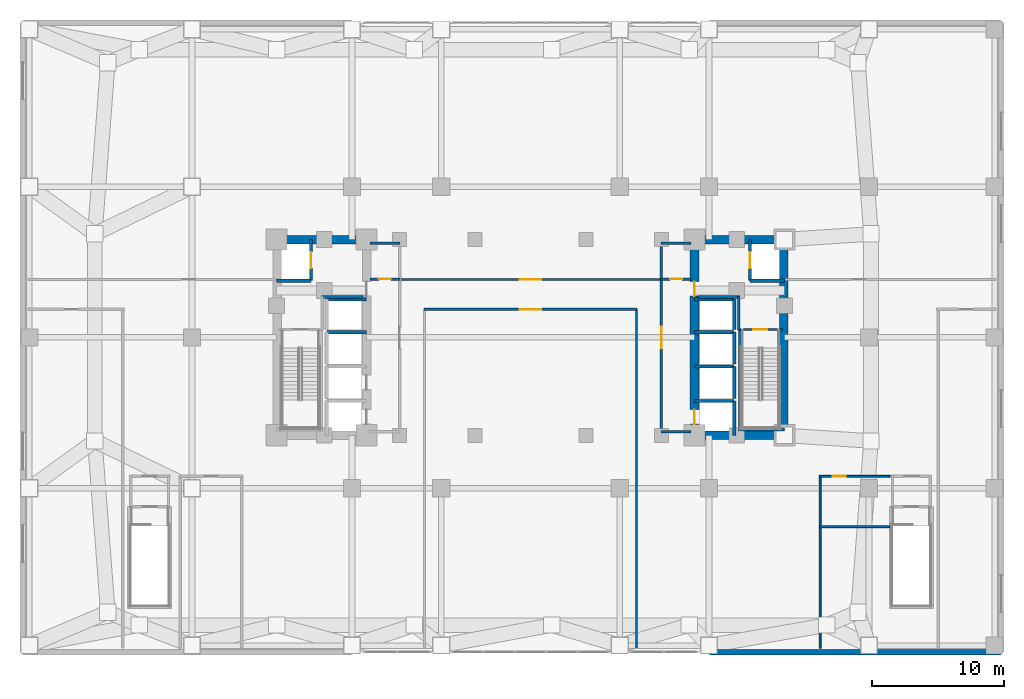
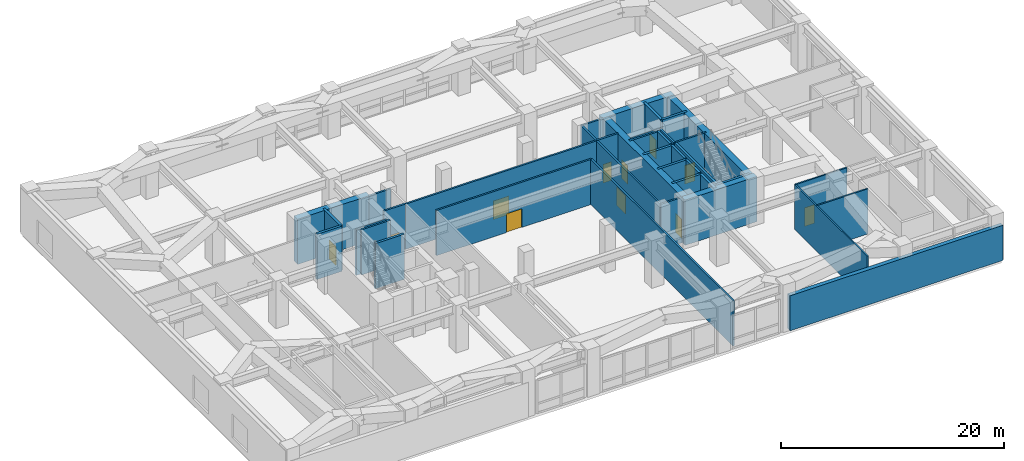
# One storey, part 16 of 20: 38 walls, 11 doors, 11 openings.
"""IFC4 building model written with IfcOpenShell, lengths in metres."""

from ifc_helpers import new_model, si_unit, direction, frame, frame_2d, origin, place, context, subcontext, project, spatial, rectangle, extrude, material, layer, layer_set, type_object, element, fill, save


model = new_model("IFC4")

# Units and contexts
model_context = context("Model", 3, precision=1e-05, world=origin(), true_north=direction((0.0, 1.0)))
body_context = subcontext(model_context, "Body", "Model", "MODEL_VIEW")
ifc_project = project(units=[si_unit("LENGTHUNIT", "METRE"), si_unit("AREAUNIT", "SQUARE_METRE"), si_unit("VOLUMEUNIT", "CUBIC_METRE"), si_unit("PLANEANGLEUNIT", "RADIAN"), si_unit("MASSUNIT", "GRAM", prefix="KILO")], contexts=[model_context])

# Site, building, storey
site_placement = place(None, origin())
site = spatial("IfcSite", under=ifc_project, at=site_placement, CompositionType="ELEMENT")
building_placement = place(site_placement, origin())
building = spatial("IfcBuilding", under=site, at=building_placement, Name="Voryun Gate Residences", CompositionType="ELEMENT")
storey_placement = place(building_placement, frame((0.0, 0.0, 20.800048828125)))
storey = spatial("IfcBuildingStorey", under=building, at=storey_placement, Name="L04", CompositionType="ELEMENT", Elevation=20.800048828125)

# Walls
ifc_material_1 = material(Name="Concrete C60/75", Category="concrete")
ifc_layer_1 = layer(ifc_material_1, 0.64990234375, Name="CW_CORE_650")
ifc_layer_set_1 = layer_set([ifc_layer_1], Name="Concrete C60/75")
wall_type_1 = type_object("IfcWallType", Name="CW_CORE_650", PredefinedType="SHEAR", material=ifc_layer_set_1)
for number, where, z_axis, x_axis, name in (
    (1, (-19.52490234375, 7.39990234375, 0.0), (0.0, 0.0, 1.0), (1.0, 0.0, 0.0), "L04 Core shear wall CW-L04-WN"),
    (2, (12.074951171875, -7.39990234375, 0.0), (0.0, 0.0, 1.0), (1.0, 0.0, 0.0), "L04 Core shear wall CW-L04-ES"),
    (3, (12.074951171875, 7.39990234375, 0.0), (0.0, 0.0, 1.0), (1.0, 0.0, 0.0), "L04 Core shear wall CW-L04-EN"),
):
    element("IfcWall", number, at=place(storey_placement, frame(where, z_axis=z_axis, x_axis=x_axis)), inside=storey, type_object=wall_type_1, Name=name, PredefinedType="SHEAR", context=body_context, shape_type="SweptSolid", body=[
        extrude(rectangle(XDim=7.449951171875, YDim=0.64990234375, at=frame_2d((3.72509765625, 0.0))), origin(), (0.0, 0.0, 1.0), 4.949951171875),
    ])

# Wall, openings, doors
wall_1_placement = place(storey_placement, frame((12.39990234375, -7.39990234375, 0.0), z_axis=(0.0, 0.0, 1.0), x_axis=(0.0, 1.0, 0.0)))
wall_1 = element("IfcWall", 4, at=wall_1_placement, inside=storey, type_object=wall_type_1, Name="L04 Core shear wall CW-L04-EW", PredefinedType="SHEAR", context=body_context, shape_type="SweptSolid", body=[
    extrude(rectangle(XDim=14.7998046875, YDim=0.64990234375, at=frame_2d((7.39990234375, 0.0))), origin(), (0.0, 0.0, 1.0), 4.949951171875),
])
opening_1_placement = place(wall_1_placement, frame((0.85009765625, 0.0, 0.0)))
opening_1 = element("IfcOpeningElement", 5, at=opening_1_placement, cuts=wall_1, Name="Opening LD2", PredefinedType="OPENING", context=body_context, shape_type="SweptSolid", body=[
    extrude(rectangle(XDim=1.10009765625, YDim=2.050048828125, at=frame_2d((0.550048828125, 1.02490234375))), frame((0.0, 0.3349609375, 0.0), z_axis=(0.0, -1.0, 0.0), x_axis=(1.0, 0.0, 0.0)), (0.0, 0.0, 1.0), 0.669921875),
])
opening_2_placement = place(wall_1_placement, frame((10.530029296875, 0.0, 0.0)))
opening_2 = element("IfcOpeningElement", 6, at=opening_2_placement, cuts=wall_1, Name="Opening D-FD60-2", PredefinedType="OPENING", context=body_context, shape_type="SweptSolid", body=[
    extrude(rectangle(XDim=1.10009765625, YDim=2.050048828125, at=frame_2d((0.550048828125, 1.02490234375))), frame((0.0, 0.3349609375, 0.0), z_axis=(0.0, -1.0, 0.0), x_axis=(1.0, 0.0, 0.0)), (0.0, 0.0, 1.0), 0.669921875),
])
ifc_material_2 = material(Name="Painted steel fire door", Category="steel")
door_type_1 = type_object("IfcDoorType", Name="DR_FD60_FFLOB_1100", OperationType="NOTDEFINED", PredefinedType="DOOR", material=ifc_material_2)
door_1_placement = place(opening_2_placement, origin())
door_1 = element("IfcDoor", 7, at=door_1_placement, inside=storey, type_object=door_type_1, Name="Door DR-L04-CLOB-E", OperationType="SINGLE_SWING_RIGHT", OverallHeight=2.050048828125, OverallWidth=1.10009765625, PredefinedType="DOOR", context=body_context, shape_type="SweptSolid", body=[
    extrude(rectangle(XDim=1.10009765625, YDim=2.050048828125, at=frame_2d((0.550048828125, 1.02490234375))), frame((0.0, 0.02490234375, 0.0), z_axis=(0.0, -1.0, 0.0), x_axis=(1.0, 0.0, 0.0)), (0.0, 0.0, 1.0), 0.050048828125),
])
fill(opening_2, door_1)
ifc_material_3 = material(Name="Anodised aluminium", Category="aluminium")
door_type_2 = type_object("IfcDoorType", Name="DR_LD_PASS_1100", OperationType="NOTDEFINED", PredefinedType="DOOR", material=ifc_material_3)
door_2_placement = place(opening_1_placement, origin())
door_2 = element("IfcDoor", 8, at=door_2_placement, inside=storey, type_object=door_type_2, Name="Lift EL-P3 sliding landing door L04", OperationType="SLIDING_TO_LEFT", OverallHeight=2.050048828125, OverallWidth=1.10009765625, PredefinedType="DOOR", context=body_context, shape_type="SweptSolid", body=[
    extrude(rectangle(XDim=1.10009765625, YDim=2.050048828125, at=frame_2d((0.550048828125, 1.02490234375))), frame((0.0, 0.02490234375, 0.0), z_axis=(0.0, -1.0, 0.0), x_axis=(1.0, 0.0, 0.0)), (0.0, 0.0, 1.0), 0.050048828125),
])
fill(opening_1, door_2)

# Walls
wall_2_placement = place(storey_placement, frame((19.14501953125, -7.39990234375, 0.0), z_axis=(0.0, 0.0, 1.0), x_axis=(0.0, 1.0, 0.0)))
element("IfcWall", 9, at=wall_2_placement, inside=storey, type_object=wall_type_1, Name="L04 Core shear wall CW-L04-EE", PredefinedType="SHEAR", context=body_context, shape_type="SweptSolid", body=[
    extrude(rectangle(XDim=14.7998046875, YDim=0.64990234375, at=frame_2d((7.39990234375, 0.0))), origin(), (0.0, 0.0, 1.0), 4.949951171875),
])
ifc_material_4 = material(Name="Gypsum acoustic fireboard")
ifc_layer_2 = layer(ifc_material_4, 0.179931640625, Name="W_CORR_RATED_180")
ifc_layer_set_2 = layer_set([ifc_layer_2], Name="Gypsum acoustic fireboard")
wall_type_2 = type_object("IfcWallType", Name="W_CORR_RATED_180", PredefinedType="PARTITIONING", material=ifc_layer_set_2)
wall_3_placement = place(storey_placement, frame((-12.14990234375, 7.1201171875, 0.0), z_axis=(0.0, 0.0, 1.0), x_axis=(1.0, 0.0, 0.0)))
element("IfcWall", 10, at=wall_3_placement, inside=storey, type_object=wall_type_2, Name="Partition wall WP-L04-PLBN-W", PredefinedType="PARTITIONING", context=body_context, shape_type="SweptSolid", body=[
    extrude(rectangle(XDim=2.27001953125, YDim=0.179931640625, at=frame_2d((1.135009765625, 0.0))), origin(), (0.0, 0.0, 1.0), 4.949951171875),
])

# Wall, opening, door
wall_4_placement = place(storey_placement, frame((15.699951171875, 0.60009765625, 0.0), z_axis=(0.0, 0.0, 1.0), x_axis=(1.0, 0.0, 0.0)))
wall_4 = element("IfcWall", 11, at=wall_4_placement, inside=storey, type_object=wall_type_2, Name="Partition wall WP-L04-STV-E", PredefinedType="PARTITIONING", context=body_context, shape_type="SweptSolid", body=[
    extrude(rectangle(XDim=3.360107421875, YDim=0.179931640625, at=frame_2d((1.68017578125, 0.0))), origin(), (0.0, 0.0, 1.0), 4.949951171875),
])
opening_3_placement = place(wall_4_placement, frame((1.155029296875, 0.0, 0.0)))
opening_3 = element("IfcOpeningElement", 12, at=opening_3_placement, cuts=wall_4, Name="Opening D-FD60-1", PredefinedType="OPENING", context=body_context, shape_type="SweptSolid", body=[
    extrude(rectangle(XDim=1.050048828125, YDim=2.050048828125, at=frame_2d((0.52490234375, 1.02490234375))), frame((0.0, 0.099853515625, 0.0), z_axis=(0.0, -1.0, 0.0), x_axis=(1.0, 0.0, 0.0)), (0.0, 0.0, 1.0), 0.199951171875),
])
ifc_material_5 = material(Name="Painted steel fire door", Category="steel")
door_type_3 = type_object("IfcDoorType", Name="DR_FD60_STAIR_1050", OperationType="NOTDEFINED", PredefinedType="DOOR", material=ifc_material_5)
door_3_placement = place(opening_3_placement, origin())
door_3 = element("IfcDoor", 13, at=door_3_placement, inside=storey, type_object=door_type_3, Name="Door DR-L04-ST-E", OperationType="SINGLE_SWING_RIGHT", OverallHeight=2.050048828125, OverallWidth=1.050048828125, PredefinedType="DOOR", context=body_context, shape_type="SweptSolid", body=[
    extrude(rectangle(XDim=1.050048828125, YDim=2.050048828125, at=frame_2d((0.52490234375, 1.02490234375))), frame((0.0, 0.02490234375, 0.0), z_axis=(0.0, -1.0, 0.0), x_axis=(1.0, 0.0, 0.0)), (0.0, 0.0, 1.0), 0.050048828125),
])
fill(opening_3, door_3)

# Walls
for number, where, z_axis, x_axis, name in (
    (14, (9.8798828125, 7.1201171875, 0.0), (0.0, 0.0, 1.0), (1.0, 0.0, 0.0), "Partition wall WP-L04-PLBN-E"),
    (15, (9.8798828125, -7.1201171875, 0.0), (0.0, 0.0, 1.0), (1.0, 0.0, 0.0), "Partition wall WP-L04-PLBS-E"),
):
    element("IfcWall", number, at=place(storey_placement, frame(where, z_axis=z_axis, x_axis=x_axis)), inside=storey, type_object=wall_type_2, Name=name, PredefinedType="PARTITIONING", context=body_context, shape_type="SweptSolid", body=[
        extrude(rectangle(XDim=2.27001953125, YDim=0.179931640625, at=frame_2d((1.135009765625, 0.0))), origin(), (0.0, 0.0, 1.0), 4.949951171875),
    ])

# Wall, opening, door
wall_5_placement = place(storey_placement, frame((9.89990234375, -7.1201171875, 0.0), z_axis=(0.0, 0.0, 1.0), x_axis=(0.0, 1.0, 0.0)))
wall_5 = element("IfcWall", 16, at=wall_5_placement, inside=storey, type_object=wall_type_2, Name="Partition wall WP-L04-PLBE", PredefinedType="PARTITIONING", context=body_context, shape_type="SweptSolid", body=[
    extrude(rectangle(XDim=14.240234375, YDim=0.179931640625, at=frame_2d((7.1201171875, 0.0))), origin(), (0.0, 0.0, 1.0), 4.949951171875),
])
opening_4_placement = place(wall_5_placement, frame((6.320068359375, 0.0, 0.0)))
opening_4 = element("IfcOpeningElement", 17, at=opening_4_placement, cuts=wall_5, Name="Opening D-FD30-1", PredefinedType="OPENING", context=body_context, shape_type="SweptSolid", body=[
    extrude(rectangle(XDim=1.60009765625, YDim=2.050048828125, at=frame_2d((0.800048828125, 1.02490234375))), frame((0.0, 0.099853515625, 0.0), z_axis=(0.0, -1.0, 0.0), x_axis=(1.0, 0.0, 0.0)), (0.0, 0.0, 1.0), 0.199951171875),
])
ifc_material_6 = material(Name="Glazed aluminium fire door", Category="aluminium")
door_type_4 = type_object("IfcDoorType", Name="DR_CORR_SMOKE_1600", OperationType="NOTDEFINED", PredefinedType="DOOR", material=ifc_material_6)
door_4_placement = place(opening_4_placement, origin())
door_4 = element("IfcDoor", 18, at=door_4_placement, inside=storey, type_object=door_type_4, Name="Door DR-L04-PLBE", OperationType="DOUBLE_DOOR_SINGLE_SWING", OverallHeight=2.050048828125, OverallWidth=1.60009765625, PredefinedType="DOOR", context=body_context, shape_type="SweptSolid", body=[
    extrude(rectangle(XDim=1.60009765625, YDim=2.050048828125, at=frame_2d((0.800048828125, 1.02490234375))), frame((0.0, 0.02490234375, 0.0), z_axis=(0.0, -1.0, 0.0), x_axis=(1.0, 0.0, 0.0)), (0.0, 0.0, 1.0), 0.050048828125),
])
fill(opening_4, door_4)

# Wall
wall_6_placement = place(storey_placement, frame((8.02001953125, -23.5, 0.0), z_axis=(0.0, 0.0, 1.0), x_axis=(0.0, 1.0, 0.0)))
element("IfcWall", 19, at=wall_6_placement, inside=storey, type_object=wall_type_2, Name="Partition wall WP-L04-HLE", PredefinedType="PARTITIONING", context=body_context, shape_type="SweptSolid", body=[
    extrude(rectangle(XDim=25.64990234375, YDim=0.179931640625, at=frame_2d((12.824951171875, 0.0))), origin(), (0.0, 0.0, 1.0), 4.949951171875),
])

# Wall, opening, door
wall_7_placement = place(storey_placement, frame((-8.050048828125, 2.1201171875, 0.0), z_axis=(0.0, 0.0, 1.0), x_axis=(1.0, 0.0, 0.0)))
wall_7 = element("IfcWall", 20, at=wall_7_placement, inside=storey, type_object=wall_type_2, Name="Partition wall WP-L04-CS2", PredefinedType="PARTITIONING", context=body_context, shape_type="SweptSolid", body=[
    extrude(rectangle(XDim=16.10009765625, YDim=0.179931640625, at=frame_2d((8.050048828125, 0.0))), origin(), (0.0, 0.0, 1.0), 4.949951171875),
])
opening_5_placement = place(wall_7_placement, frame((7.25, 0.0, 0.0)))
opening_5 = element("IfcOpeningElement", 21, at=opening_5_placement, cuts=wall_7, Name="Opening D-FD30-1", PredefinedType="OPENING", context=body_context, shape_type="SweptSolid", body=[
    extrude(rectangle(XDim=1.60009765625, YDim=2.050048828125, at=frame_2d((0.800048828125, 1.02490234375))), frame((0.0, 0.099853515625, 0.0), z_axis=(0.0, -1.0, 0.0), x_axis=(1.0, 0.0, 0.0)), (0.0, 0.0, 1.0), 0.199951171875),
])
door_5_placement = place(opening_5_placement, origin())
door_5 = element("IfcDoor", 22, at=door_5_placement, inside=storey, type_object=door_type_4, Name="Door DR-L04-HALL", OperationType="DOUBLE_DOOR_SINGLE_SWING", OverallHeight=2.050048828125, OverallWidth=1.60009765625, PredefinedType="DOOR", context=body_context, shape_type="SweptSolid", body=[
    extrude(rectangle(XDim=1.60009765625, YDim=2.050048828125, at=frame_2d((0.800048828125, 1.02490234375))), frame((0.0, 0.02490234375, 0.0), z_axis=(0.0, -1.0, 0.0), x_axis=(1.0, 0.0, 0.0)), (0.0, 0.0, 1.0), 0.050048828125),
])
fill(opening_5, door_5)

wall_8_placement = place(storey_placement, frame((-9.949951171875, 4.3798828125, 0.0), z_axis=(0.0, 0.0, 1.0), x_axis=(1.0, 0.0, 0.0)))
wall_8 = element("IfcWall", 23, at=wall_8_placement, inside=storey, type_object=wall_type_2, Name="Partition wall WP-L04-CN2", PredefinedType="PARTITIONING", context=body_context, shape_type="SweptSolid", body=[
    extrude(rectangle(XDim=19.89990234375, YDim=0.179931640625, at=frame_2d((9.949951171875, 0.0))), origin(), (0.0, 0.0, 1.0), 4.949951171875),
])
opening_6_placement = place(wall_8_placement, frame((9.14990234375, 0.0, 0.0)))
opening_6 = element("IfcOpeningElement", 24, at=opening_6_placement, cuts=wall_8, Name="Opening D-FD30-1", PredefinedType="OPENING", context=body_context, shape_type="SweptSolid", body=[
    extrude(rectangle(XDim=1.60009765625, YDim=2.050048828125, at=frame_2d((0.800048828125, 1.02490234375))), frame((0.0, 0.099853515625, 0.0), z_axis=(0.0, -1.0, 0.0), x_axis=(1.0, 0.0, 0.0)), (0.0, 0.0, 1.0), 0.199951171875),
])
door_6_placement = place(opening_6_placement, origin())
door_6 = element("IfcDoor", 25, at=door_6_placement, inside=storey, type_object=door_type_4, Name="Door DR-L04-COWK", OperationType="DOUBLE_DOOR_SINGLE_SWING", OverallHeight=2.050048828125, OverallWidth=1.60009765625, PredefinedType="DOOR", context=body_context, shape_type="SweptSolid", body=[
    extrude(rectangle(XDim=1.60009765625, YDim=2.050048828125, at=frame_2d((0.800048828125, 1.02490234375))), frame((0.0, 0.02490234375, 0.0), z_axis=(0.0, -1.0, 0.0), x_axis=(1.0, 0.0, 0.0)), (0.0, 0.0, 1.0), 0.050048828125),
])
fill(opening_6, door_6)

# Walls
ifc_material_7 = material(Name="Granite masonry", Category="masonry")
ifc_layer_3 = layer(ifc_material_7, 0.419921875, Name="W_EXT_PODIUM_420")
ifc_layer_set_3 = layer_set([ifc_layer_3], Name="Granite masonry")
wall_type_3 = type_object("IfcWallType", Name="W_EXT_PODIUM_420", PredefinedType="ELEMENTEDWALL", material=ifc_layer_set_3)
wall_9_placement = place(storey_placement, frame((13.550048828125, -23.800048828125, 0.0), z_axis=(0.0, 0.0, 1.0), x_axis=(1.0, 0.0, 0.0)))
element("IfcWall", 26, at=wall_9_placement, inside=storey, type_object=wall_type_3, Name="Exterior wall WEP-L04-1B", PredefinedType="ELEMENTEDWALL", context=body_context, shape_type="SweptSolid", body=[
    extrude(rectangle(XDim=22.050048828125, YDim=0.419921875, at=frame_2d((11.02490234375, 0.0))), origin(), (0.0, 0.0, 1.0), 3.83984375),
])
ifc_material_8 = material(Name="Concrete C40/50", Category="concrete")
ifc_layer_4 = layer(ifc_material_8, 0.199951171875, Name="W_FF_LOBBY_200")
ifc_layer_set_4 = layer_set([ifc_layer_4], Name="Concrete C40/50")
wall_type_4 = type_object("IfcWallType", Name="W_FF_LOBBY_200", PredefinedType="PARTITIONING", material=ifc_layer_set_4)
wall_10_placement = place(storey_placement, frame((-15.820068359375, 3.06005859375, 0.0), z_axis=(0.0, 0.0, 1.0), x_axis=(1.0, 0.0, 0.0)))
element("IfcWall", 27, at=wall_10_placement, inside=storey, type_object=wall_type_4, Name="Partition wall WP-L04-FFPS-W", PredefinedType="PARTITIONING", context=body_context, shape_type="SweptSolid", body=[
    extrude(rectangle(XDim=3.16015625, YDim=0.199951171875, at=frame_2d((1.580078125, 0.0))), origin(), (0.0, 0.0, 1.0), 4.949951171875),
])

# Wall, opening, door
wall_11_placement = place(storey_placement, frame((-12.14990234375, 4.409912109375, 0.0), z_axis=(0.0, 0.0, 1.0), x_axis=(1.0, 0.0, 0.0)))
wall_11 = element("IfcWall", 28, at=wall_11_placement, inside=storey, type_object=wall_type_4, Name="Partition wall WP-L04-CSFLKS-W", PredefinedType="PARTITIONING", context=body_context, shape_type="SweptSolid", body=[
    extrude(rectangle(XDim=2.27001953125, YDim=0.199951171875, at=frame_2d((1.135009765625, 0.0))), origin(), (0.0, 0.0, 1.0), 4.949951171875),
])
opening_7_placement = place(wall_11_placement, frame((0.68505859375, 0.0, 0.0)))
opening_7 = element("IfcOpeningElement", 29, at=opening_7_placement, cuts=wall_11, Name="Opening D-FD60-4", PredefinedType="OPENING", context=body_context, shape_type="SweptSolid", body=[
    extrude(rectangle(XDim=0.89990234375, YDim=2.050048828125, at=frame_2d((0.449951171875, 1.02490234375))), frame((0.0, 0.110107421875, 0.0), z_axis=(0.0, -1.0, 0.0), x_axis=(1.0, 0.0, 0.0)), (0.0, 0.0, 1.0), 0.219970703125),
])
ifc_material_9 = material(Name="Painted steel fire door", Category="steel")
door_type_5 = type_object("IfcDoorType", Name="DR_FD60_RISER_900", OperationType="NOTDEFINED", PredefinedType="DOOR", material=ifc_material_9)
door_7_placement = place(opening_7_placement, origin())
door_7 = element("IfcDoor", 30, at=door_7_placement, inside=storey, type_object=door_type_5, Name="Door DR-L04-CSFLK-W", OperationType="SINGLE_SWING_LEFT", OverallHeight=2.050048828125, OverallWidth=0.89990234375, PredefinedType="DOOR", context=body_context, shape_type="SweptSolid", body=[
    extrude(rectangle(XDim=0.89990234375, YDim=2.050048828125, at=frame_2d((0.449951171875, 1.02490234375))), frame((0.0, 0.02490234375, 0.0), z_axis=(0.0, -1.0, 0.0), x_axis=(1.0, 0.0, 0.0)), (0.0, 0.0, 1.0), 0.050048828125),
])
fill(opening_7, door_7)

# Walls
wall_12_placement = place(storey_placement, frame((15.760009765625, 0.580078125, 0.0), z_axis=(0.0, 0.0, 1.0), x_axis=(0.0, 1.0, 0.0)))
element("IfcWall", 31, at=wall_12_placement, inside=storey, type_object=wall_type_4, Name="Partition wall WP-L04-FFP0-E", PredefinedType="PARTITIONING", context=body_context, shape_type="SweptSolid", body=[
    extrude(rectangle(XDim=2.52001953125, YDim=0.199951171875, at=frame_2d((1.260009765625, 0.0))), origin(), (0.0, 0.0, 1.0), 4.949951171875),
])
wall_13_placement = place(storey_placement, frame((12.659912109375, 3.06005859375, 0.0), z_axis=(0.0, 0.0, 1.0), x_axis=(1.0, 0.0, 0.0)))
element("IfcWall", 32, at=wall_13_placement, inside=storey, type_object=wall_type_4, Name="Partition wall WP-L04-FFPS-E", PredefinedType="PARTITIONING", context=body_context, shape_type="SweptSolid", body=[
    extrude(rectangle(XDim=3.16015625, YDim=0.199951171875, at=frame_2d((1.580078125, 0.0))), origin(), (0.0, 0.0, 1.0), 4.949951171875),
])

# Wall, opening, door
wall_14_placement = place(storey_placement, frame((9.8798828125, 4.409912109375, 0.0), z_axis=(0.0, 0.0, 1.0), x_axis=(1.0, 0.0, 0.0)))
wall_14 = element("IfcWall", 33, at=wall_14_placement, inside=storey, type_object=wall_type_4, Name="Partition wall WP-L04-CSFLKS-E", PredefinedType="PARTITIONING", context=body_context, shape_type="SweptSolid", body=[
    extrude(rectangle(XDim=2.27001953125, YDim=0.199951171875, at=frame_2d((1.135009765625, 0.0))), origin(), (0.0, 0.0, 1.0), 4.949951171875),
])
opening_8_placement = place(wall_14_placement, frame((0.68505859375, 0.0, 0.0)))
opening_8 = element("IfcOpeningElement", 34, at=opening_8_placement, cuts=wall_14, Name="Opening D-FD60-4", PredefinedType="OPENING", context=body_context, shape_type="SweptSolid", body=[
    extrude(rectangle(XDim=0.89990234375, YDim=2.050048828125, at=frame_2d((0.449951171875, 1.02490234375))), frame((0.0, 0.110107421875, 0.0), z_axis=(0.0, -1.0, 0.0), x_axis=(1.0, 0.0, 0.0)), (0.0, 0.0, 1.0), 0.219970703125),
])
door_8_placement = place(opening_8_placement, origin())
door_8 = element("IfcDoor", 35, at=door_8_placement, inside=storey, type_object=door_type_5, Name="Door DR-L04-CSFLK-E", OperationType="SINGLE_SWING_RIGHT", OverallHeight=2.050048828125, OverallWidth=0.89990234375, PredefinedType="DOOR", context=body_context, shape_type="SweptSolid", body=[
    extrude(rectangle(XDim=0.89990234375, YDim=2.050048828125, at=frame_2d((0.449951171875, 1.02490234375))), frame((0.0, 0.02490234375, 0.0), z_axis=(0.0, -1.0, 0.0), x_axis=(1.0, 0.0, 0.0)), (0.0, 0.0, 1.0), 0.050048828125),
])
fill(opening_8, door_8)

# Walls
ifc_material_10 = material(Name="Concrete C50/60", Category="concrete")
ifc_layer_5 = layer(ifc_material_10, 0.25, Name="W_SHAFT_RC250")
ifc_layer_set_5 = layer_set([ifc_layer_5], Name="Concrete C50/60")
wall_type_5 = type_object("IfcWallType", Name="W_SHAFT_RC250", PredefinedType="SOLIDWALL", material=ifc_layer_set_5)
wall_15_placement = place(storey_placement, frame((15.860107421875, -7.0849609375, 0.0), z_axis=(0.0, 0.0, 1.0), x_axis=(0.0, 1.0, 0.0)))
element("IfcWall", 36, at=wall_15_placement, inside=storey, type_object=wall_type_5, Name="L04 Stair shaft structural wall E-STL", PredefinedType="SOLIDWALL", context=body_context, shape_type="SweptSolid", body=[
    extrude(rectangle(XDim=7.68505859375, YDim=0.25, at=frame_2d((3.842529296875, 0.0))), origin(), (0.0, 0.0, 1.0), 4.949951171875),
])
wall_16_placement = place(storey_placement, frame((15.739990234375, -6.965087890625, 0.0), z_axis=(0.0, 0.0, 1.0), x_axis=(1.0, 0.0, 0.0)))
element("IfcWall", 37, at=wall_16_placement, inside=storey, type_object=wall_type_5, Name="L04 Stair shaft structural wall E-STS", PredefinedType="SOLIDWALL", context=body_context, shape_type="SweptSolid", body=[
    extrude(rectangle(XDim=3.4599609375, YDim=0.25, at=frame_2d((1.72998046875, 0.0))), origin(), (0.0, 0.0, 1.0), 4.949951171875),
])
wall_17_placement = place(storey_placement, frame((-19.199951171875, 4.300048828125, 0.0), z_axis=(0.0, 0.0, 1.0), x_axis=(1.0, 0.0, 0.0)))
element("IfcWall", 38, at=wall_17_placement, inside=storey, type_object=wall_type_5, Name="Lift shaft wall WSH-L04-EL-FF-W1-S", PredefinedType="SOLIDWALL", context=body_context, shape_type="SweptSolid", body=[
    extrude(rectangle(XDim=2.599853515625, YDim=0.25, at=frame_2d((1.2998046875, 0.0))), origin(), (0.0, 0.0, 1.0), 4.949951171875),
])

# Wall, opening, door
wall_18_placement = place(storey_placement, frame((-16.60009765625, 4.300048828125, 0.0), z_axis=(0.0, 0.0, 1.0), x_axis=(0.0, 1.0, 0.0)))
wall_18 = element("IfcWall", 39, at=wall_18_placement, inside=storey, type_object=wall_type_5, Name="Lift shaft wall WSH-L04-EL-FF-W1-E", PredefinedType="SOLIDWALL", context=body_context, shape_type="SweptSolid", body=[
    extrude(rectangle(XDim=3.099853515625, YDim=0.25, at=frame_2d((1.5498046875, 0.0))), origin(), (0.0, 0.0, 1.0), 4.949951171875),
])
opening_9_placement = place(wall_18_placement, frame((0.949951171875, 0.0, 0.0)))
opening_9 = element("IfcOpeningElement", 40, at=opening_9_placement, cuts=wall_18, Name="Opening LD1", PredefinedType="OPENING", context=body_context, shape_type="SweptSolid", body=[
    extrude(rectangle(XDim=1.199951171875, YDim=2.050048828125, at=frame_2d((0.60009765625, 1.02490234375))), frame((0.0, 0.135009765625, 0.0), z_axis=(0.0, -1.0, 0.0), x_axis=(1.0, 0.0, 0.0)), (0.0, 0.0, 1.0), 0.27001953125),
])
ifc_material_11 = material(Name="Anodised aluminium", Category="aluminium")
door_type_6 = type_object("IfcDoorType", Name="DR_LD_FF_1200", OperationType="NOTDEFINED", PredefinedType="DOOR", material=ifc_material_11)
door_9_placement = place(opening_9_placement, origin())
door_9 = element("IfcDoor", 41, at=door_9_placement, inside=storey, type_object=door_type_6, Name="Lift EL-FF-W1 sliding landing door L04", OperationType="SLIDING_TO_LEFT", OverallHeight=2.050048828125, OverallWidth=1.199951171875, PredefinedType="DOOR", context=body_context, shape_type="SweptSolid", body=[
    extrude(rectangle(XDim=1.199951171875, YDim=2.050048828125, at=frame_2d((0.60009765625, 1.02490234375))), frame((0.0, 0.02490234375, 0.0), z_axis=(0.0, -1.0, 0.0), x_axis=(1.0, 0.0, 0.0)), (0.0, 0.0, 1.0), 0.050048828125),
])
fill(opening_9, door_9)

# Wall
wall_19_placement = place(storey_placement, frame((16.60009765625, 4.300048828125, 0.0), z_axis=(0.0, 0.0, 1.0), x_axis=(1.0, 0.0, 0.0)))
element("IfcWall", 42, at=wall_19_placement, inside=storey, type_object=wall_type_5, Name="Lift shaft wall WSH-L04-EL-FF-E1-S", PredefinedType="SOLIDWALL", context=body_context, shape_type="SweptSolid", body=[
    extrude(rectangle(XDim=2.599853515625, YDim=0.25, at=frame_2d((1.2998046875, 0.0))), origin(), (0.0, 0.0, 1.0), 4.949951171875),
])

# Wall, opening, door
wall_20_placement = place(storey_placement, frame((16.60009765625, 7.39990234375, 0.0), z_axis=(0.0, 0.0, 1.0), x_axis=(0.0, -1.0, 0.0)))
wall_20 = element("IfcWall", 43, at=wall_20_placement, inside=storey, type_object=wall_type_5, Name="Lift shaft wall WSH-L04-EL-FF-E1-W", PredefinedType="SOLIDWALL", context=body_context, shape_type="SweptSolid", body=[
    extrude(rectangle(XDim=3.099853515625, YDim=0.25, at=frame_2d((1.5498046875, 0.0))), origin(), (0.0, 0.0, 1.0), 4.949951171875),
])
opening_10_placement = place(wall_20_placement, frame((0.949951171875, 0.0, 0.0)))
opening_10 = element("IfcOpeningElement", 44, at=opening_10_placement, cuts=wall_20, Name="Opening LD1", PredefinedType="OPENING", context=body_context, shape_type="SweptSolid", body=[
    extrude(rectangle(XDim=1.199951171875, YDim=2.050048828125, at=frame_2d((0.60009765625, 1.02490234375))), frame((0.0, 0.135009765625, 0.0), z_axis=(0.0, -1.0, 0.0), x_axis=(1.0, 0.0, 0.0)), (0.0, 0.0, 1.0), 0.27001953125),
])
door_10_placement = place(opening_10_placement, origin())
door_10 = element("IfcDoor", 45, at=door_10_placement, inside=storey, type_object=door_type_6, Name="Lift EL-FF-E1 sliding landing door L04", OperationType="SLIDING_TO_LEFT", OverallHeight=2.050048828125, OverallWidth=1.199951171875, PredefinedType="DOOR", context=body_context, shape_type="SweptSolid", body=[
    extrude(rectangle(XDim=1.199951171875, YDim=2.050048828125, at=frame_2d((0.60009765625, 1.02490234375))), frame((0.0, 0.02490234375, 0.0), z_axis=(0.0, -1.0, 0.0), x_axis=(1.0, 0.0, 0.0)), (0.0, 0.0, 1.0), 0.050048828125),
])
fill(opening_10, door_10)

# Walls
wall_21_placement = place(storey_placement, frame((15.39990234375, -7.39990234375, 0.0), z_axis=(0.0, 0.0, 1.0), x_axis=(0.0, 1.0, 0.0)))
element("IfcWall", 46, at=wall_21_placement, inside=storey, type_object=wall_type_5, Name="Lift shaft wall WSH-L04-EL-P3-E", PredefinedType="SOLIDWALL", context=body_context, shape_type="SweptSolid", body=[
    extrude(rectangle(XDim=2.599853515625, YDim=0.25, at=frame_2d((1.2998046875, 0.0))), origin(), (0.0, 0.0, 1.0), 4.949951171875),
])
for number, where, z_axis, x_axis, name in (
    (47, (15.39990234375, -4.800048828125, 0.0), (0.0, 0.0, 1.0), (-1.0, 0.0, 0.0), "Lift shaft wall WSH-L04-EL-P3-N"),
    (48, (-12.39990234375, 0.39990234375, 0.0), (0.0, 0.0, 1.0), (-1.0, 0.0, 0.0), "Lift shaft wall WSH-L04-EL-P4-N"),
):
    element("IfcWall", number, at=place(storey_placement, frame(where, z_axis=z_axis, x_axis=x_axis)), inside=storey, type_object=wall_type_5, Name=name, PredefinedType="SOLIDWALL", context=body_context, shape_type="SweptSolid", body=[
        extrude(rectangle(XDim=3.0, YDim=0.25, at=frame_2d((1.5, 0.0))), origin(), (0.0, 0.0, 1.0), 4.949951171875),
    ])
wall_22_placement = place(storey_placement, frame((15.39990234375, -4.60009765625, 0.0), z_axis=(0.0, 0.0, 1.0), x_axis=(0.0, 1.0, 0.0)))
element("IfcWall", 49, at=wall_22_placement, inside=storey, type_object=wall_type_5, Name="Lift shaft wall WSH-L04-EL-P5-E", PredefinedType="SOLIDWALL", context=body_context, shape_type="SweptSolid", body=[
    extrude(rectangle(XDim=2.400146484375, YDim=0.25, at=frame_2d((1.2001953125, 0.0))), origin(), (0.0, 0.0, 1.0), 4.949951171875),
])
wall_23_placement = place(storey_placement, frame((15.39990234375, -2.199951171875, 0.0), z_axis=(0.0, 0.0, 1.0), x_axis=(-1.0, 0.0, 0.0)))
element("IfcWall", 50, at=wall_23_placement, inside=storey, type_object=wall_type_5, Name="Lift shaft wall WSH-L04-EL-P5-N", PredefinedType="SOLIDWALL", context=body_context, shape_type="SweptSolid", body=[
    extrude(rectangle(XDim=3.0, YDim=0.25, at=frame_2d((1.5, 0.0))), origin(), (0.0, 0.0, 1.0), 4.949951171875),
])
wall_24_placement = place(storey_placement, frame((15.39990234375, -2.0, 0.0), z_axis=(0.0, 0.0, 1.0), x_axis=(0.0, 1.0, 0.0)))
element("IfcWall", 51, at=wall_24_placement, inside=storey, type_object=wall_type_5, Name="Lift shaft wall WSH-L04-EL-P6-E", PredefinedType="SOLIDWALL", context=body_context, shape_type="SweptSolid", body=[
    extrude(rectangle(XDim=2.39990234375, YDim=0.25, at=frame_2d((1.199951171875, 0.0))), origin(), (0.0, 0.0, 1.0), 4.949951171875),
])
for number, where, z_axis, x_axis, name in (
    (52, (15.39990234375, 0.39990234375, 0.0), (0.0, 0.0, 1.0), (-1.0, 0.0, 0.0), "Lift shaft wall WSH-L04-EL-P6-N"),
    (53, (-12.39990234375, 2.89990234375, 0.0), (0.0, 0.0, 1.0), (-1.0, 0.0, 0.0), "Lift shaft wall WSH-L04-EL-P7-N"),
):
    element("IfcWall", number, at=place(storey_placement, frame(where, z_axis=z_axis, x_axis=x_axis)), inside=storey, type_object=wall_type_5, Name=name, PredefinedType="SOLIDWALL", context=body_context, shape_type="SweptSolid", body=[
        extrude(rectangle(XDim=3.0, YDim=0.25, at=frame_2d((1.5, 0.0))), origin(), (0.0, 0.0, 1.0), 4.949951171875),
    ])
wall_25_placement = place(storey_placement, frame((15.39990234375, 0.60009765625, 0.0), z_axis=(0.0, 0.0, 1.0), x_axis=(0.0, 1.0, 0.0)))
element("IfcWall", 54, at=wall_25_placement, inside=storey, type_object=wall_type_5, Name="Lift shaft wall WSH-L04-EL-P8-E", PredefinedType="SOLIDWALL", context=body_context, shape_type="SweptSolid", body=[
    extrude(rectangle(XDim=2.2998046875, YDim=0.25, at=frame_2d((1.14990234375, 0.0))), origin(), (0.0, 0.0, 1.0), 4.949951171875),
])
wall_26_placement = place(storey_placement, frame((15.39990234375, 2.89990234375, 0.0), z_axis=(0.0, 0.0, 1.0), x_axis=(-1.0, 0.0, 0.0)))
element("IfcWall", 55, at=wall_26_placement, inside=storey, type_object=wall_type_5, Name="Lift shaft wall WSH-L04-EL-P8-N", PredefinedType="SOLIDWALL", context=body_context, shape_type="SweptSolid", body=[
    extrude(rectangle(XDim=3.0, YDim=0.25, at=frame_2d((1.5, 0.0))), origin(), (0.0, 0.0, 1.0), 4.949951171875),
])
ifc_material_12 = material(Name="Gypsum moisture-resistant partition")
ifc_layer_6 = layer(ifc_material_12, 0.14990234375, Name="W_WET_PLUMB_150")
ifc_layer_set_6 = layer_set([ifc_layer_6], Name="Gypsum moisture-resistant partition")
wall_type_6 = type_object("IfcWallType", Name="W_WET_PLUMB_150", PredefinedType="PLUMBINGWALL", material=ifc_layer_set_6)
wall_27_placement = place(storey_placement, frame((21.89990234375, -23.5, 0.0), z_axis=(0.0, 0.0, 1.0), x_axis=(0.0, 1.0, 0.0)))
element("IfcWall", 56, at=wall_27_placement, inside=storey, type_object=wall_type_6, Name="Partition wall WP-L04-WCE1", PredefinedType="PLUMBINGWALL", context=body_context, shape_type="SweptSolid", body=[
    extrude(rectangle(XDim=13.050048828125, YDim=0.14990234375, at=frame_2d((6.52490234375, 0.0))), origin(), (0.0, 0.0, 1.0), 4.949951171875),
])
wall_28_placement = place(storey_placement, frame((21.85009765625, -14.300048828125, 0.0), z_axis=(0.0, 0.0, 1.0), x_axis=(1.0, 0.0, 0.0)))
element("IfcWall", 57, at=wall_28_placement, inside=storey, type_object=wall_type_6, Name="Partition wall WP-L04-WCE3", PredefinedType="PLUMBINGWALL", context=body_context, shape_type="SweptSolid", body=[
    extrude(rectangle(XDim=5.349853515625, YDim=0.14990234375, at=frame_2d((2.6748046875, 0.0))), origin(), (0.0, 0.0, 1.0), 4.949951171875),
])

# Wall, opening, door
wall_29_placement = place(storey_placement, frame((21.85009765625, -10.5, 0.0), z_axis=(0.0, 0.0, 1.0), x_axis=(1.0, 0.0, 0.0)))
wall_29 = element("IfcWall", 58, at=wall_29_placement, inside=storey, type_object=wall_type_6, Name="Partition wall WP-L04-WCE4", PredefinedType="PLUMBINGWALL", context=body_context, shape_type="SweptSolid", body=[
    extrude(rectangle(XDim=5.349853515625, YDim=0.14990234375, at=frame_2d((2.6748046875, 0.0))), origin(), (0.0, 0.0, 1.0), 4.949951171875),
])
opening_11_placement = place(wall_29_placement, frame((0.998046875, 0.0, 0.0)))
opening_11 = element("IfcOpeningElement", 59, at=opening_11_placement, cuts=wall_29, Name="Opening D-AWC-1", PredefinedType="OPENING", context=body_context, shape_type="SweptSolid", body=[
    extrude(rectangle(XDim=1.0, YDim=2.050048828125, at=frame_2d((0.5, 1.02490234375))), frame((0.0, 0.0849609375, 0.0), z_axis=(0.0, -1.0, 0.0), x_axis=(1.0, 0.0, 0.0)), (0.0, 0.0, 1.0), 0.169921875),
])
ifc_material_13 = material(Name="Architectural oak veneer")
door_type_7 = type_object("IfcDoorType", Name="DR_ACC_WC_1000", OperationType="NOTDEFINED", PredefinedType="DOOR", material=ifc_material_13)
door_11_placement = place(opening_11_placement, origin())
door_11 = element("IfcDoor", 60, at=door_11_placement, inside=storey, type_object=door_type_7, Name="Door DR-L04-WCED", OperationType="SINGLE_SWING_RIGHT", OverallHeight=2.050048828125, OverallWidth=1.0, PredefinedType="DOOR", context=body_context, shape_type="SweptSolid", body=[
    extrude(rectangle(XDim=1.0, YDim=2.050048828125, at=frame_2d((0.5, 1.02490234375))), frame((0.0, 0.02490234375, 0.0), z_axis=(0.0, -1.0, 0.0), x_axis=(1.0, 0.0, 0.0)), (0.0, 0.0, 1.0), 0.050048828125),
])
fill(opening_11, door_11)

save(model, "model.ifc")
